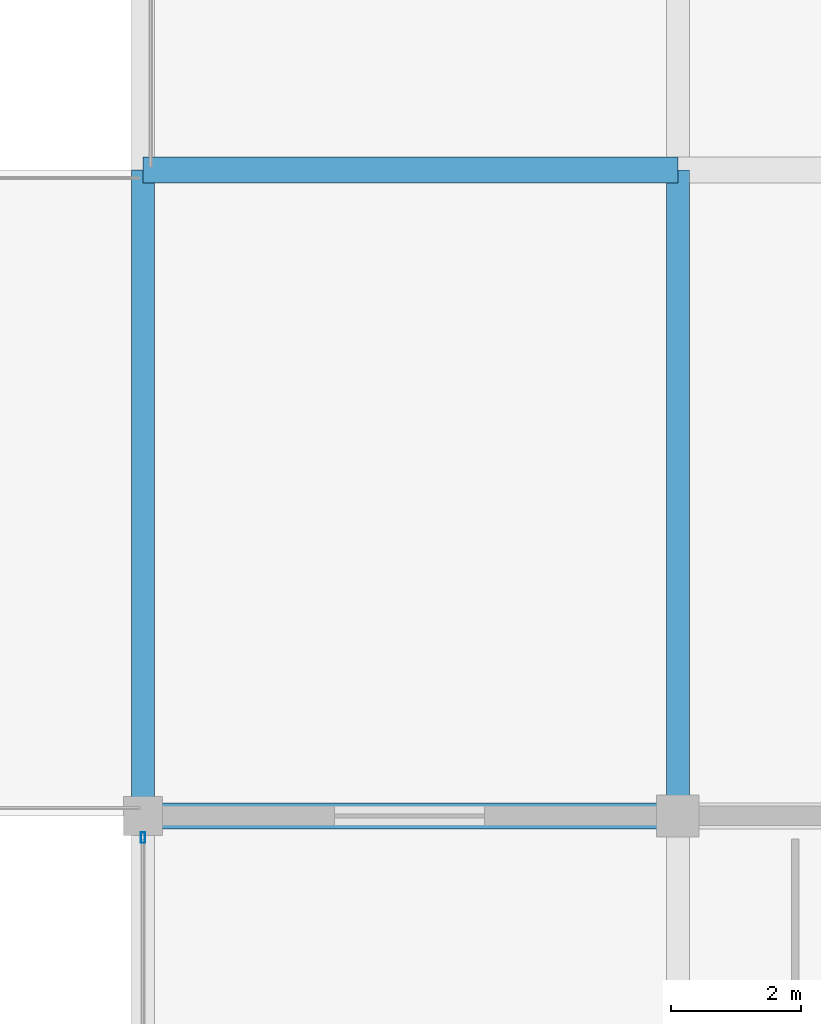
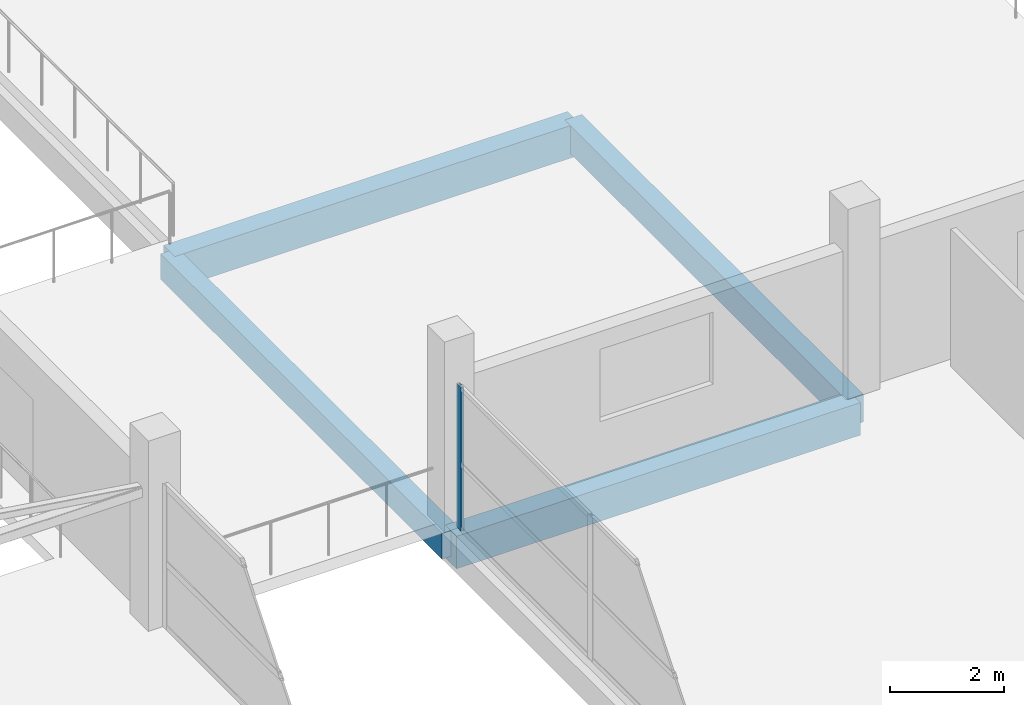
# One storey, part 34 of 53: 4 beams, 1 member, 1 element without a shape of its own.
"""IFC4 building model written with IfcOpenShell, lengths in metres."""

from ifc_helpers import new_model, si_unit, direction, frame, origin, origin_2d, place, context, subcontext, project, spatial, rectangle, hollow_rectangle, extrude, material, layer, layer_set, material_profile, profile_set, type_object, element, aggregate, save


model = new_model("IFC4")

# Units and contexts
model_context = context("Model", 3, precision=1e-05, world=origin(), true_north=direction((0.0, 1.0)))
body_context = subcontext(model_context, "Body", "Model", "MODEL_VIEW")
ifc_project = project(units=[si_unit("LENGTHUNIT", "METRE"), si_unit("AREAUNIT", "SQUARE_METRE"), si_unit("VOLUMEUNIT", "CUBIC_METRE"), si_unit("PLANEANGLEUNIT", "RADIAN"), si_unit("MASSUNIT", "GRAM", prefix="KILO")], contexts=[model_context])

# Site, building, storey
site_placement = place(None, origin())
site = spatial("IfcSite", under=ifc_project, at=site_placement, CompositionType="ELEMENT")
building_placement = place(site_placement, origin())
building = spatial("IfcBuilding", under=site, at=building_placement, Name="Sillaruma Civic Art Gallery", CompositionType="ELEMENT")
storey_placement = place(building_placement, frame((0.0, 0.0, 70.3798828125)))
storey = spatial("IfcBuildingStorey", under=building, at=storey_placement, Name="L14", CompositionType="ELEMENT", Elevation=70.3798828125)

# Beams
ifc_material_1 = material(Name="Concrete H35 (35 MPa)", Category="concrete")
ifc_material_profile_1 = material_profile(ifc_material_1, rectangle(XDim=0.35009765625, YDim=0.60009765625, at=origin_2d()), Name="RCB350x600")
ifc_profile_set_1 = profile_set([ifc_material_profile_1], Name="Concrete H35 (35 MPa)")
beam_type_1 = type_object("IfcBeamType", Name="BM-BEAM-RCB350x600", PredefinedType="BEAM", material=ifc_profile_set_1)
beam_1_placement = place(storey_placement, frame((106.199951171875, 69.300048828125, -0.5498046875), z_axis=(0.0, 1.0, 0.0), x_axis=(-1.0, 0.0, 0.0)))
element("IfcBeam", 1, at=beam_1_placement, inside=storey, type_object=beam_type_1, Name="Beam BM-06 (L13:M:8-9)", PredefinedType="BEAM", context=body_context, shape_type="SweptSolid", body=[
    extrude(rectangle(XDim=0.35009765625, YDim=0.60009765625, at=origin_2d()), origin(), (0.0, 0.0, 1.0), 9.89990234375),
])
ifc_material_profile_2 = material_profile(ifc_material_1, rectangle(XDim=0.39990234375, YDim=0.699951171875, at=origin_2d()), Name="RCB400x700")
ifc_profile_set_2 = profile_set([ifc_material_profile_2], Name="Concrete H35 (35 MPa)")
beam_type_2 = type_object("IfcBeamType", Name="BM-BEAM-RCB400x700", PredefinedType="BEAM", material=ifc_profile_set_2)
for number, where, z_axis, x_axis, name in (
    (2, (98.0, 69.300048828125, -0.599853515625), (1.0, 0.0, 0.0), (0.0, 1.0, 0.0), "Beam BM-04 (L13:8:L-M)"),
    (3, (98.0, 79.199951171875, -0.599853515625), (1.0, 0.0, 0.0), (0.0, 1.0, 0.0), "Beam BM-04 (L13:9:L-M)"),
):
    element("IfcBeam", number, at=place(storey_placement, frame(where, z_axis=z_axis, x_axis=x_axis)), inside=storey, type_object=beam_type_2, Name=name, PredefinedType="BEAM", context=body_context, shape_type="SweptSolid", body=[
        extrude(rectangle(XDim=0.39990234375, YDim=0.699951171875, at=origin_2d()), origin(), (0.0, 0.0, 1.0), 8.199951171875),
    ])
ifc_material_profile_3 = material_profile(ifc_material_1, rectangle(XDim=0.35009765625, YDim=0.550048828125, at=origin_2d()), Name="RCB350x550")
ifc_profile_set_3 = profile_set([ifc_material_profile_3], Name="Concrete H35 (35 MPa)")
beam_type_3 = type_object("IfcBeamType", Name="BM-SPANDREL-RCB350x550", PredefinedType="SPANDREL", material=ifc_profile_set_3)
beam_2_placement = place(storey_placement, frame((98.0, 69.300048828125, -0.52490234375), z_axis=(0.0, 1.0, 0.0), x_axis=(-1.0, 0.0, 0.0)))
element("IfcBeam", 4, at=beam_2_placement, inside=storey, type_object=beam_type_3, Name="Beam BS-04 (L13:L:8-9)", PredefinedType="SPANDREL", context=body_context, shape_type="SweptSolid", body=[
    extrude(rectangle(XDim=0.35009765625, YDim=0.550048828125, at=origin_2d()), origin(), (0.0, 0.0, 1.0), 9.89990234375),
])

# Curtain wall, member
ifc_material_2 = material(Name="Thermally Broken Extruded Aluminium 6063-T6", Category="aluminium")
ifc_layer = layer(ifc_material_2, 0.159912109375, Name="Thermally Broken Extruded Aluminium 6063-T6")
ifc_layer_set = layer_set([ifc_layer], Name="Thermally Broken Extruded Aluminium 6063-T6")
curtain_wall_type = type_object("IfcCurtainWallType", Name="CW-UNI-97", PredefinedType="NOTDEFINED", material=ifc_layer_set)
curtain_wall_placement = place(storey_placement, origin())
curtain_wall = element("IfcCurtainWall", 5, at=curtain_wall_placement, inside=storey, type_object=curtain_wall_type, Name="Unitised Curtain Wall CW-97 (CW-L14-EHH-W2)", PredefinedType="NOTDEFINED")
ifc_material_profile_4 = material_profile(ifc_material_2, hollow_rectangle(XDim=0.06494140625, YDim=0.159912109375, WallThickness=0.00390625, at=origin_2d()), Name="CWM65x160")
ifc_profile_set_4 = profile_set([ifc_material_profile_4], Name="Thermally Broken Extruded Aluminium 6063-T6")
member_type = type_object("IfcMemberType", Name="MEM-MUL-CWM65x160", PredefinedType="MULLION", material=ifc_profile_set_4)
member_placement = place(storey_placement, frame((98.0, 68.967529296875, 0.0), z_axis=(0.0, 0.0, 1.0), x_axis=(-1.0, 0.0, 0.0)))
member = element("IfcMember", 6, at=member_placement, type_object=member_type, Name="CW-97 mullion 3", PredefinedType="MULLION", context=body_context, shape_type="SweptSolid", body=[
    extrude(hollow_rectangle(XDim=0.06494140625, YDim=0.159912109375, WallThickness=0.00390625, at=origin_2d()), origin(), (0.0, 0.0, 1.0), 3.080078125),
])
aggregate(curtain_wall, [member])

save(model, "model.ifc")
